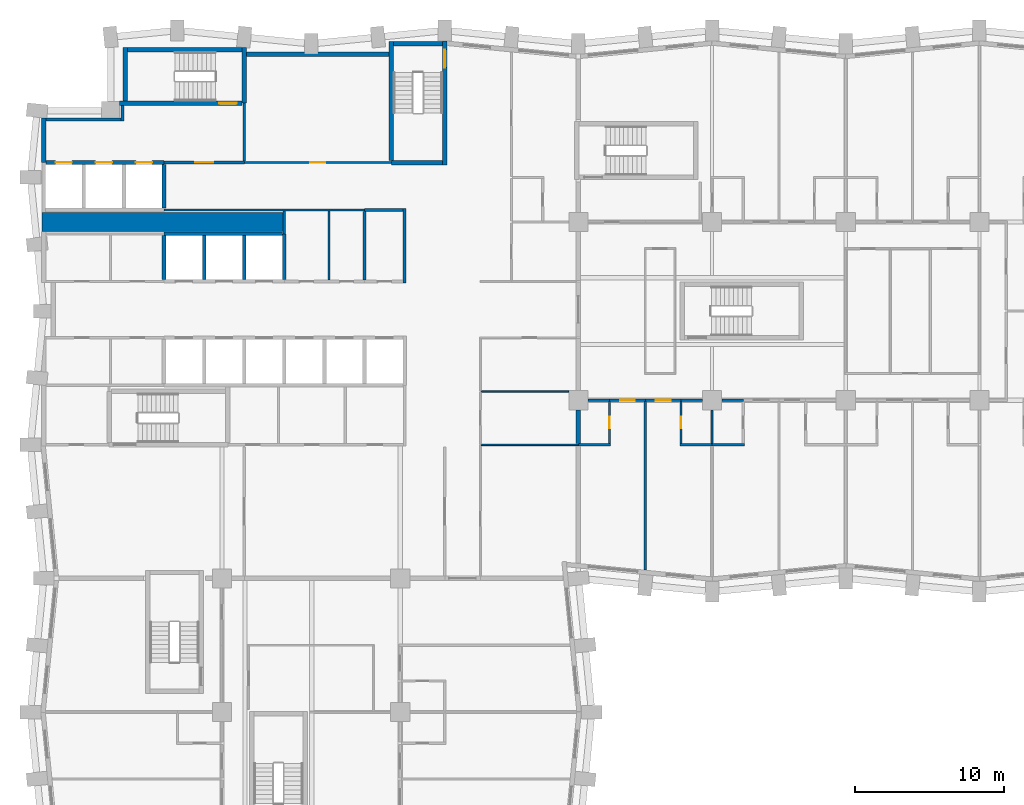
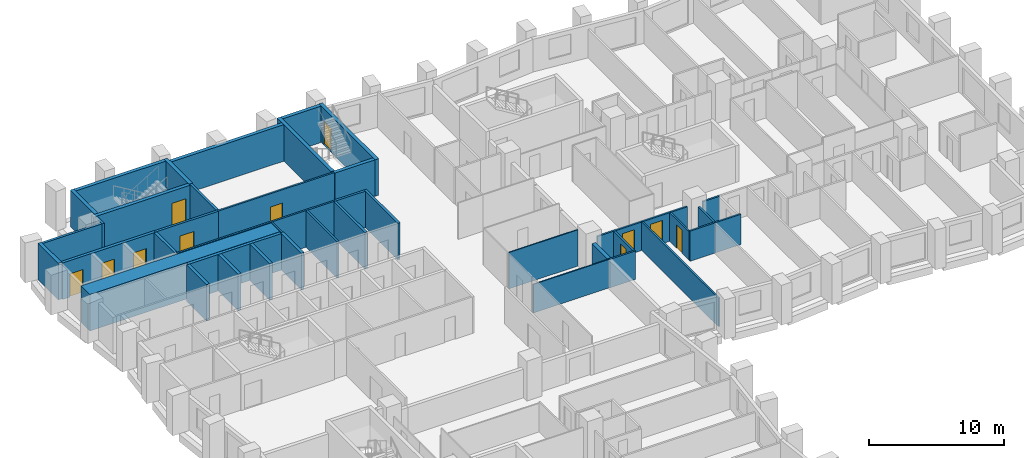
# One storey, part 7 of 13: 44 walls, 11 doors, 11 openings.
"""IFC4 building model written with IfcOpenShell, lengths in metres."""

from ifc_helpers import new_model, si_unit, direction, frame, frame_2d, origin, place, context, subcontext, project, spatial, rectangle, extrude, material, layer, layer_set, type_object, element, fill, save


model = new_model("IFC4")

# Units and contexts
model_context = context("Model", 3, precision=1e-05, world=origin(), true_north=direction((0.0, 1.0)))
body_context = subcontext(model_context, "Body", "Model", "MODEL_VIEW")
ifc_project = project(units=[si_unit("LENGTHUNIT", "METRE"), si_unit("AREAUNIT", "SQUARE_METRE"), si_unit("VOLUMEUNIT", "CUBIC_METRE"), si_unit("PLANEANGLEUNIT", "RADIAN"), si_unit("MASSUNIT", "GRAM", prefix="KILO")], contexts=[model_context])

# Site, building, storey
site_placement = place(None, origin())
site = spatial("IfcSite", under=ifc_project, at=site_placement, CompositionType="ELEMENT")
building_placement = place(site_placement, origin())
building = spatial("IfcBuilding", under=site, at=building_placement, Name="Brondeck Convention Tower", CompositionType="ELEMENT")
storey_placement = place(building_placement, frame((0.0, 0.0, 44.699951171875)))
storey = spatial("IfcBuildingStorey", under=building, at=storey_placement, Name="L08", CompositionType="ELEMENT", Elevation=44.699951171875)

# Walls
ifc_material_1 = material(Name="Concrete compartment wall C30/37", Category="concrete")
ifc_layer_1 = layer(ifc_material_1, 0.300048828125)
ifc_layer_set_1 = layer_set([ifc_layer_1], Name="Compartment wall 300")
wall_type_1 = type_object("IfcWallType", Name="Compartment wall 300", PredefinedType="PARTITIONING", material=ifc_layer_set_1)
wall_1_placement = place(storey_placement, frame((36.0, 38.344970703125, 0.0), z_axis=(0.0, 0.0, 1.0), x_axis=(0.0, -1.0, 0.0)))
element("IfcWall", 1, at=wall_1_placement, inside=storey, type_object=wall_type_1, Name="FLR-L08-W077", PredefinedType="PARTITIONING", context=body_context, shape_type="SweptSolid", body=[
    extrude(rectangle(XDim=2.27001953125, YDim=0.300048828125, at=frame_2d((1.135009765625, 0.0))), origin(), (0.0, 0.0, 1.0), 2.580078125),
])
ifc_material_2 = material(Name="Concrete C80/95", Category="concrete")
ifc_layer_2 = layer(ifc_material_2, 0.199951171875)
ifc_layer_set_2 = layer_set([ifc_layer_2], Name="Core beam-seat wall 200 Concrete C80/95")
wall_type_2 = type_object("IfcWallType", Name="Core beam-seat wall 200 Concrete C80/95", PredefinedType="SHEAR", material=ifc_layer_set_2)
wall_2_placement = place(storey_placement, frame((24.300048828125, 46.89990234375, 0.0), z_axis=(0.0, 0.0, 1.0), x_axis=(0.0, 1.0, 0.0)))
element("IfcWall", 2, at=wall_2_placement, inside=storey, type_object=wall_type_2, Name="L08 core wall", PredefinedType="SHEAR", context=body_context, shape_type="SweptSolid", body=[
    extrude(rectangle(XDim=5.0, YDim=0.199951171875, at=frame_2d((2.5, 0.0))), origin(), (0.0, 0.0, 1.0), 3.300048828125),
])
ifc_layer_3 = layer(ifc_material_2, 0.300048828125)
ifc_layer_set_3 = layer_set([ifc_layer_3], Name="Core outer wall 300 Concrete C80/95")
wall_type_3 = type_object("IfcWallType", Name="Core outer wall 300 Concrete C80/95", PredefinedType="SHEAR", material=ifc_layer_set_3)
wall_3_placement = place(storey_placement, frame((13.64990234375, 62.300048828125, 0.0), z_axis=(0.0, 0.0, 1.0), x_axis=(1.0, 0.0, 0.0)))
element("IfcWall", 3, at=wall_3_placement, inside=storey, type_object=wall_type_3, Name="L08 core wall", PredefinedType="SHEAR", context=body_context, shape_type="SweptSolid", body=[
    extrude(rectangle(XDim=9.60009765625, YDim=0.300048828125, at=frame_2d((4.800048828125, 0.0))), origin(), (0.0, 0.0, 1.0), 3.300048828125),
])
wall_4_placement = place(storey_placement, frame((0.0, 55.0, 0.0), z_axis=(0.0, 0.0, 1.0), x_axis=(0.0, 1.0, 0.0)))
element("IfcWall", 4, at=wall_4_placement, inside=storey, type_object=wall_type_3, Name="L08 core wall", PredefinedType="SHEAR", context=body_context, shape_type="SweptSolid", body=[
    extrude(rectangle(XDim=3.0, YDim=0.300048828125, at=frame_2d((1.5, 0.0))), origin(), (0.0, 0.0, 1.0), 3.300048828125),
])
ifc_material_3 = material(Name="Fire-rated gypsum board partition")
ifc_layer_4 = layer(ifc_material_3, 0.14990234375)
ifc_layer_set_4 = layer_set([ifc_layer_4], Name="Core partition 150 EI 60")
wall_type_4 = type_object("IfcWallType", Name="Core partition 150 EI 60", PredefinedType="PARTITIONING", material=ifc_layer_set_4)
wall_5_placement = place(storey_placement, frame((8.10009765625, 51.800048828125, 0.0), z_axis=(0.0, 0.0, 1.0), x_axis=(1.0, 0.0, 0.0)))
element("IfcWall", 5, at=wall_5_placement, inside=storey, type_object=wall_type_4, Name="L08 core wall", PredefinedType="PARTITIONING", context=body_context, shape_type="SweptSolid", body=[
    extrude(rectangle(XDim=13.5, YDim=0.14990234375, at=frame_2d((6.75, 0.0))), origin(), (0.0, 0.0, 1.0), 3.300048828125),
])

# Wall, opening, door
wall_6_placement = place(storey_placement, frame((13.5, 55.0, 0.0), z_axis=(0.0, 0.0, 1.0), x_axis=(1.0, 0.0, 0.0)))
wall_6 = element("IfcWall", 6, at=wall_6_placement, inside=storey, type_object=wall_type_4, Name="L08 core wall", PredefinedType="PARTITIONING", context=body_context, shape_type="SweptSolid", body=[
    extrude(rectangle(XDim=9.89990234375, YDim=0.14990234375, at=frame_2d((4.949951171875, 0.0))), origin(), (0.0, 0.0, 1.0), 3.300048828125),
])
opening_1_placement = place(wall_6_placement, frame((4.449951171875, 0.0, 0.0)))
opening_1 = element("IfcOpeningElement", 7, at=opening_1_placement, cuts=wall_6, Name="Opening C08-13", PredefinedType="OPENING", context=body_context, shape_type="SweptSolid", body=[
    extrude(rectangle(XDim=1.0, YDim=2.10009765625, at=frame_2d((0.5, 1.050048828125))), frame((0.0, 0.0849609375, 0.0), z_axis=(0.0, -1.0, 0.0), x_axis=(1.0, 0.0, 0.0)), (0.0, 0.0, 1.0), 0.169921875),
])
ifc_material_4 = material(Name="Steel fire door", Category="steel")
door_type_1 = type_object("IfcDoorType", Name="Room door 1000x2100 EI 60", OperationType="NOTDEFINED", PredefinedType="DOOR", material=ifc_material_4)
door_1_placement = place(opening_1_placement, origin())
door_1 = element("IfcDoor", 8, at=door_1_placement, inside=storey, type_object=door_type_1, Name="L08 Room door NE-1", OperationType="SINGLE_SWING_LEFT", OverallHeight=2.10009765625, OverallWidth=1.0, PredefinedType="DOOR", context=body_context, shape_type="SweptSolid", body=[
    extrude(rectangle(XDim=1.0, YDim=2.10009765625, at=frame_2d((0.5, 1.050048828125))), frame((0.0, 0.02490234375, 0.0), z_axis=(0.0, -1.0, 0.0), x_axis=(1.0, 0.0, 0.0)), (0.0, 0.0, 1.0), 0.050048828125),
])
fill(opening_1, door_1)

# Walls
wall_7_placement = place(storey_placement, frame((16.199951171875, 50.199951171875, 0.0), z_axis=(0.0, 0.0, 1.0), x_axis=(0.0, 1.0, 0.0)))
element("IfcWall", 9, at=wall_7_placement, inside=storey, type_object=wall_type_4, Name="L08 core wall", PredefinedType="PARTITIONING", context=body_context, shape_type="SweptSolid", body=[
    extrude(rectangle(XDim=1.525146484375, YDim=0.14990234375, at=frame_2d((0.7626953125, 0.0))), origin(), (0.0, 0.0, 1.0), 3.300048828125),
])
wall_8_placement = place(storey_placement, frame((19.199951171875, 47.10009765625, 0.0), z_axis=(0.0, 0.0, 1.0), x_axis=(0.0, 1.0, 0.0)))
element("IfcWall", 10, at=wall_8_placement, inside=storey, type_object=wall_type_4, Name="L08 core wall", PredefinedType="PARTITIONING", context=body_context, shape_type="SweptSolid", body=[
    extrude(rectangle(XDim=4.625, YDim=0.14990234375, at=frame_2d((2.3125, 0.0))), origin(), (0.0, 0.0, 1.0), 3.300048828125),
])
ifc_layer_5 = layer(ifc_material_2, 1.300048828125)
ifc_layer_set_5 = layer_set([ifc_layer_5], Name="Core shear wall 1300 Concrete C80/95")
wall_type_5 = type_object("IfcWallType", Name="Core shear wall 1300 Concrete C80/95", PredefinedType="SHEAR", material=ifc_layer_set_5)
wall_9_placement = place(storey_placement, frame((-0.125, 51.0, 0.0), z_axis=(0.0, 0.0, 1.0), x_axis=(1.0, 0.0, 0.0)))
element("IfcWall", 11, at=wall_9_placement, inside=storey, type_object=wall_type_5, Name="L08 core wall", PredefinedType="SHEAR", context=body_context, shape_type="SweptSolid", body=[
    extrude(rectangle(XDim=16.22509765625, YDim=1.300048828125, at=frame_2d((8.112548828125, 0.0))), origin(), (0.0, 0.0, 1.0), 3.300048828125),
])

# Wall, opening, door
ifc_layer_6 = layer(ifc_material_3, 0.199951171875)
ifc_layer_set_6 = layer_set([ifc_layer_6], Name="Firefighting lobby wall 200 EI 120")
wall_type_6 = type_object("IfcWallType", Name="Firefighting lobby wall 200 EI 120", PredefinedType="PARTITIONING", material=ifc_layer_set_6)
wall_10_placement = place(storey_placement, frame((8.10009765625, 55.0, 0.0), z_axis=(0.0, 0.0, 1.0), x_axis=(1.0, 0.0, 0.0)))
wall_10 = element("IfcWall", 12, at=wall_10_placement, inside=storey, type_object=wall_type_6, Name="L08 core wall", PredefinedType="PARTITIONING", context=body_context, shape_type="SweptSolid", body=[
    extrude(rectangle(XDim=5.39990234375, YDim=0.199951171875, at=frame_2d((2.699951171875, 0.0))), origin(), (0.0, 0.0, 1.0), 3.300048828125),
])
opening_2_placement = place(wall_10_placement, frame((2.10009765625, 0.0, 0.0)))
opening_2 = element("IfcOpeningElement", 13, at=opening_2_placement, cuts=wall_10, Name="Opening C08-01", PredefinedType="OPENING", context=body_context, shape_type="SweptSolid", body=[
    extrude(rectangle(XDim=1.199951171875, YDim=2.199951171875, at=frame_2d((0.60009765625, 1.10009765625))), frame((0.0, 0.10986328125, 0.0), z_axis=(0.0, -1.0, 0.0), x_axis=(1.0, 0.0, 0.0)), (0.0, 0.0, 1.0), 0.219970703125),
])
door_type_2 = type_object("IfcDoorType", Name="Firefighting lobby door 1200x2200 EI 120", OperationType="NOTDEFINED", PredefinedType="DOOR", material=ifc_material_4)
door_2_placement = place(opening_2_placement, origin())
door_2 = element("IfcDoor", 14, at=door_2_placement, inside=storey, type_object=door_type_2, Name="L08 Firefighting lobby door FFL-1", OperationType="SINGLE_SWING_RIGHT", OverallHeight=2.199951171875, OverallWidth=1.199951171875, PredefinedType="DOOR", context=body_context, shape_type="SweptSolid", body=[
    extrude(rectangle(XDim=1.199951171875, YDim=2.199951171875, at=frame_2d((0.60009765625, 1.10009765625))), frame((0.0, 0.02490234375, 0.0), z_axis=(0.0, -1.0, 0.0), x_axis=(1.0, 0.0, 0.0)), (0.0, 0.0, 1.0), 0.050048828125),
])
fill(opening_2, door_2)

# Walls
wall_11_placement = place(storey_placement, frame((0.14990234375, 57.89990234375, 0.0), z_axis=(0.0, 0.0, 1.0), x_axis=(1.0, 0.0, 0.0)))
element("IfcWall", 15, at=wall_11_placement, inside=storey, type_object=wall_type_6, Name="L08 core wall", PredefinedType="PARTITIONING", context=body_context, shape_type="SweptSolid", body=[
    extrude(rectangle(XDim=5.050048828125, YDim=0.199951171875, at=frame_2d((2.52490234375, 0.0))), origin(), (0.0, 0.0, 1.0), 3.300048828125),
])
wall_12_placement = place(storey_placement, frame((5.300048828125, 57.800048828125, 0.0), z_axis=(0.0, 0.0, 1.0), x_axis=(0.0, 1.0, 0.0)))
element("IfcWall", 16, at=wall_12_placement, inside=storey, type_object=wall_type_6, Name="L08 core wall", PredefinedType="PARTITIONING", context=body_context, shape_type="SweptSolid", body=[
    extrude(rectangle(XDim=1.050048828125, YDim=0.199951171875, at=frame_2d((0.52490234375, 0.0))), origin(), (0.0, 0.0, 1.0), 3.300048828125),
])
wall_13_placement = place(storey_placement, frame((13.5, 55.10009765625, 0.0), z_axis=(0.0, 0.0, 1.0), x_axis=(0.0, 1.0, 0.0)))
element("IfcWall", 17, at=wall_13_placement, inside=storey, type_object=wall_type_6, Name="L08 core wall", PredefinedType="PARTITIONING", context=body_context, shape_type="SweptSolid", body=[
    extrude(rectangle(XDim=3.89990234375, YDim=0.199951171875, at=frame_2d((1.949951171875, 0.0))), origin(), (0.0, 0.0, 1.0), 3.300048828125),
])
ifc_material_5 = material(Name="Double gypsum board acoustic wall")
ifc_layer_7 = layer(ifc_material_5, 0.14990234375)
ifc_layer_set_7 = layer_set([ifc_layer_7], Name="Guest room party wall 150")
wall_type_7 = type_object("IfcWallType", Name="Guest room party wall 150", PredefinedType="PARTITIONING", material=ifc_layer_set_7)
wall_14_placement = place(storey_placement, frame((36.0, 36.0, 0.0), z_axis=(0.0, 0.0, 1.0), x_axis=(1.0, 0.0, 0.0)))
element("IfcWall", 18, at=wall_14_placement, inside=storey, type_object=wall_type_7, Name="FLR-L08-W066", PredefinedType="PARTITIONING", context=body_context, shape_type="SweptSolid", body=[
    extrude(rectangle(XDim=2.175048828125, YDim=0.14990234375, at=frame_2d((1.08740234375, 0.0))), origin(), (0.0, 0.0, 1.0), 2.580078125),
])
for number, where, z_axis, x_axis, name in (
    (19, (42.824951171875, 36.0, 0.0), (0.0, 0.0, 1.0), (1.0, 0.0, 0.0), "FLR-L08-W067"),
    (20, (45.0, 36.0, 0.0), (0.0, 0.0, 1.0), (1.0, 0.0, 0.0), "FLR-L08-W068"),
):
    element("IfcWall", number, at=place(storey_placement, frame(where, z_axis=z_axis, x_axis=x_axis)), inside=storey, type_object=wall_type_7, Name=name, PredefinedType="PARTITIONING", context=body_context, shape_type="SweptSolid", body=[
        extrude(rectangle(XDim=2.175048828125, YDim=0.14990234375, at=frame_2d((1.08740234375, 0.0))), origin(), (0.0, 0.0, 1.0), 2.72998046875),
    ])

# Wall, opening, door
wall_15_placement = place(storey_placement, frame((38.10009765625, 36.074951171875, 0.0), z_axis=(0.0, 0.0, 1.0), x_axis=(0.0, 1.0, 0.0)))
wall_15 = element("IfcWall", 21, at=wall_15_placement, inside=storey, type_object=wall_type_7, Name="FLR-L08-W073", PredefinedType="PARTITIONING", context=body_context, shape_type="SweptSolid", body=[
    extrude(rectangle(XDim=2.85009765625, YDim=0.14990234375, at=frame_2d((1.425048828125, 0.0))), origin(), (0.0, 0.0, 1.0), 2.580078125),
])
opening_3_placement = place(wall_15_placement, frame((1.02490234375, 0.0, 0.0)))
opening_3 = element("IfcOpeningElement", 22, at=opening_3_placement, cuts=wall_15, Name="Opening H1-011", PredefinedType="OPENING", context=body_context, shape_type="SweptSolid", body=[
    extrude(rectangle(XDim=0.800048828125, YDim=2.10009765625, at=frame_2d((0.39990234375, 1.050048828125))), frame((0.0, 0.0849609375, 0.0), z_axis=(0.0, -1.0, 0.0), x_axis=(1.0, 0.0, 0.0)), (0.0, 0.0, 1.0), 0.169921875),
])
ifc_material_6 = material(Name="Solid timber door leaf", Category="wood")
door_type_3 = type_object("IfcDoorType", Name="En-suite door 800", OperationType="NOTDEFINED", PredefinedType="DOOR", material=ifc_material_6)
door_3_placement = place(opening_3_placement, origin())
door_3 = element("IfcDoor", 23, at=door_3_placement, inside=storey, type_object=door_type_3, Name="Door H1-011", OperationType="SINGLE_SWING_LEFT", OverallHeight=2.10009765625, OverallWidth=0.800048828125, PredefinedType="DOOR", context=body_context, shape_type="SweptSolid", body=[
    extrude(rectangle(XDim=0.800048828125, YDim=2.10009765625, at=frame_2d((0.39990234375, 1.050048828125))), frame((0.0, 0.02490234375, 0.0), z_axis=(0.0, -1.0, 0.0), x_axis=(1.0, 0.0, 0.0)), (0.0, 0.0, 1.0), 0.050048828125),
])
fill(opening_3, door_3)

# Walls
wall_16_placement = place(storey_placement, frame((45.0, 38.344970703125, 0.0), z_axis=(0.0, 0.0, 1.0), x_axis=(0.0, -1.0, 0.0)))
element("IfcWall", 24, at=wall_16_placement, inside=storey, type_object=wall_type_7, Name="FLR-L08-W078", PredefinedType="PARTITIONING", context=body_context, shape_type="SweptSolid", body=[
    extrude(rectangle(XDim=2.27001953125, YDim=0.14990234375, at=frame_2d((1.135009765625, 0.0))), origin(), (0.0, 0.0, 1.0), 2.72998046875),
])
wall_17_placement = place(storey_placement, frame((40.5, 38.925048828125, 0.0), z_axis=(0.0, 0.0, 1.0), x_axis=(0.0, -1.0, 0.0)))
element("IfcWall", 25, at=wall_17_placement, inside=storey, type_object=wall_type_7, Name="FLR-L08-W081", PredefinedType="PARTITIONING", context=body_context, shape_type="SweptSolid", body=[
    extrude(rectangle(XDim=11.35009765625, YDim=0.14990234375, at=frame_2d((5.675048828125, 0.0))), origin(), (0.0, 0.0, 1.0), 2.580078125),
])

# Wall, opening, door
wall_18_placement = place(storey_placement, frame((42.89990234375, 38.925048828125, 0.0), z_axis=(0.0, 0.0, 1.0), x_axis=(0.0, -1.0, 0.0)))
wall_18 = element("IfcWall", 26, at=wall_18_placement, inside=storey, type_object=wall_type_7, Name="FLR-L08-W082", PredefinedType="PARTITIONING", context=body_context, shape_type="SweptSolid", body=[
    extrude(rectangle(XDim=2.85009765625, YDim=0.14990234375, at=frame_2d((1.425048828125, 0.0))), origin(), (0.0, 0.0, 1.0), 2.580078125),
])
opening_4_placement = place(wall_18_placement, frame((1.02490234375, 0.0, 0.0)))
opening_4 = element("IfcOpeningElement", 27, at=opening_4_placement, cuts=wall_18, Name="Opening H1-013", PredefinedType="OPENING", context=body_context, shape_type="SweptSolid", body=[
    extrude(rectangle(XDim=0.800048828125, YDim=2.10009765625, at=frame_2d((0.39990234375, 1.050048828125))), frame((0.0, 0.0849609375, 0.0), z_axis=(0.0, -1.0, 0.0), x_axis=(1.0, 0.0, 0.0)), (0.0, 0.0, 1.0), 0.169921875),
])
door_4_placement = place(opening_4_placement, origin())
door_4 = element("IfcDoor", 28, at=door_4_placement, inside=storey, type_object=door_type_3, Name="Door H1-013", OperationType="SINGLE_SWING_LEFT", OverallHeight=2.10009765625, OverallWidth=0.800048828125, PredefinedType="DOOR", context=body_context, shape_type="SweptSolid", body=[
    extrude(rectangle(XDim=0.800048828125, YDim=2.10009765625, at=frame_2d((0.39990234375, 1.050048828125))), frame((0.0, 0.02490234375, 0.0), z_axis=(0.0, -1.0, 0.0), x_axis=(1.0, 0.0, 0.0)), (0.0, 0.0, 1.0), 0.050048828125),
])
fill(opening_4, door_4)

# Wall
wall_19_placement = place(storey_placement, frame((38.10009765625, 39.0, 0.0), z_axis=(0.0, 0.0, 1.0), x_axis=(-1.0, 0.0, 0.0)))
element("IfcWall", 29, at=wall_19_placement, inside=storey, type_object=wall_type_7, Name="FLR-L08-W088", PredefinedType="PARTITIONING", context=body_context, shape_type="SweptSolid", body=[
    extrude(rectangle(XDim=1.445068359375, YDim=0.14990234375, at=frame_2d((0.72265625, 0.0))), origin(), (0.0, 0.0, 1.0), 2.580078125),
])

# Wall, opening, door
wall_20_placement = place(storey_placement, frame((40.5, 39.0, 0.0), z_axis=(0.0, 0.0, 1.0), x_axis=(-1.0, 0.0, 0.0)))
wall_20 = element("IfcWall", 30, at=wall_20_placement, inside=storey, type_object=wall_type_7, Name="FLR-L08-W089", PredefinedType="PARTITIONING", context=body_context, shape_type="SweptSolid", body=[
    extrude(rectangle(XDim=2.39990234375, YDim=0.14990234375, at=frame_2d((1.199951171875, 0.0))), origin(), (0.0, 0.0, 1.0), 2.580078125),
])
opening_5_placement = place(wall_20_placement, frame((0.699951171875, 0.0, 0.0)))
opening_5 = element("IfcOpeningElement", 31, at=opening_5_placement, cuts=wall_20, Name="Opening H1-010", PredefinedType="OPENING", context=body_context, shape_type="SweptSolid", body=[
    extrude(rectangle(XDim=1.0, YDim=2.10009765625, at=frame_2d((0.5, 1.050048828125))), frame((0.0, 0.0849609375, 0.0), z_axis=(0.0, -1.0, 0.0), x_axis=(1.0, 0.0, 0.0)), (0.0, 0.0, 1.0), 0.169921875),
])
ifc_material_7 = material(Name="Solid timber fire door leaf", Category="wood")
door_type_4 = type_object("IfcDoorType", Name="Guest room door 1000", OperationType="NOTDEFINED", PredefinedType="DOOR", material=ifc_material_7)
door_5_placement = place(opening_5_placement, origin())
door_5 = element("IfcDoor", 32, at=door_5_placement, inside=storey, type_object=door_type_4, Name="Door H1-010", OperationType="SINGLE_SWING_LEFT", OverallHeight=2.10009765625, OverallWidth=1.0, PredefinedType="DOOR", context=body_context, shape_type="SweptSolid", body=[
    extrude(rectangle(XDim=1.0, YDim=2.10009765625, at=frame_2d((0.5, 1.050048828125))), frame((0.0, 0.02490234375, 0.0), z_axis=(0.0, -1.0, 0.0), x_axis=(1.0, 0.0, 0.0)), (0.0, 0.0, 1.0), 0.050048828125),
])
fill(opening_5, door_5)

wall_21_placement = place(storey_placement, frame((42.89990234375, 39.0, 0.0), z_axis=(0.0, 0.0, 1.0), x_axis=(-1.0, 0.0, 0.0)))
wall_21 = element("IfcWall", 33, at=wall_21_placement, inside=storey, type_object=wall_type_7, Name="FLR-L08-W090", PredefinedType="PARTITIONING", context=body_context, shape_type="SweptSolid", body=[
    extrude(rectangle(XDim=2.39990234375, YDim=0.14990234375, at=frame_2d((1.199951171875, 0.0))), origin(), (0.0, 0.0, 1.0), 2.580078125),
])
opening_6_placement = place(wall_21_placement, frame((0.699951171875, 0.0, 0.0)))
opening_6 = element("IfcOpeningElement", 34, at=opening_6_placement, cuts=wall_21, Name="Opening H1-012", PredefinedType="OPENING", context=body_context, shape_type="SweptSolid", body=[
    extrude(rectangle(XDim=1.0, YDim=2.10009765625, at=frame_2d((0.5, 1.050048828125))), frame((0.0, 0.0849609375, 0.0), z_axis=(0.0, -1.0, 0.0), x_axis=(1.0, 0.0, 0.0)), (0.0, 0.0, 1.0), 0.169921875),
])
door_6_placement = place(opening_6_placement, origin())
door_6 = element("IfcDoor", 35, at=door_6_placement, inside=storey, type_object=door_type_4, Name="Door H1-012", OperationType="SINGLE_SWING_LEFT", OverallHeight=2.10009765625, OverallWidth=1.0, PredefinedType="DOOR", context=body_context, shape_type="SweptSolid", body=[
    extrude(rectangle(XDim=1.0, YDim=2.10009765625, at=frame_2d((0.5, 1.050048828125))), frame((0.0, 0.02490234375, 0.0), z_axis=(0.0, -1.0, 0.0), x_axis=(1.0, 0.0, 0.0)), (0.0, 0.0, 1.0), 0.050048828125),
])
fill(opening_6, door_6)

# Walls
for number, where, z_axis, x_axis, name in (
    (36, (44.344970703125, 39.0, 0.0), (0.0, 0.0, 1.0), (-1.0, 0.0, 0.0), "FLR-L08-W091"),
    (37, (47.10009765625, 39.0, 0.0), (0.0, 0.0, 1.0), (-1.0, 0.0, 0.0), "FLR-L08-W092"),
):
    element("IfcWall", number, at=place(storey_placement, frame(where, z_axis=z_axis, x_axis=x_axis)), inside=storey, type_object=wall_type_7, Name=name, PredefinedType="PARTITIONING", context=body_context, shape_type="SweptSolid", body=[
        extrude(rectangle(XDim=1.445068359375, YDim=0.14990234375, at=frame_2d((0.72265625, 0.0))), origin(), (0.0, 0.0, 1.0), 2.580078125),
    ])
ifc_layer_8 = layer(ifc_material_2, 0.25)
ifc_layer_set_8 = layer_set([ifc_layer_8], Name="Lift shaft wall 250 Concrete C80/95")
wall_type_8 = type_object("IfcWallType", Name="Lift shaft wall 250 Concrete C80/95", PredefinedType="SHEAR", material=ifc_layer_set_8)
wall_22_placement = place(storey_placement, frame((8.10009765625, 50.199951171875, 0.0), z_axis=(0.0, 0.0, 1.0), x_axis=(1.0, 0.0, 0.0)))
element("IfcWall", 38, at=wall_22_placement, inside=storey, type_object=wall_type_8, Name="L08 core wall", PredefinedType="SHEAR", context=body_context, shape_type="SweptSolid", body=[
    extrude(rectangle(XDim=7.974853515625, YDim=0.25, at=frame_2d((3.9873046875, 0.0))), origin(), (0.0, 0.0, 1.0), 3.300048828125),
])

# Wall, openings, doors
wall_23_placement = place(storey_placement, frame((0.14990234375, 55.0, 0.0), z_axis=(0.0, 0.0, 1.0), x_axis=(1.0, 0.0, 0.0)))
wall_23 = element("IfcWall", 39, at=wall_23_placement, inside=storey, type_object=wall_type_8, Name="L08 core wall", PredefinedType="SHEAR", context=body_context, shape_type="SweptSolid", body=[
    extrude(rectangle(XDim=7.9501953125, YDim=0.25, at=frame_2d((3.97509765625, 0.0))), origin(), (0.0, 0.0, 1.0), 3.300048828125),
])
opening_7_placement = place(wall_23_placement, frame((0.64990234375, 0.0, 0.0)))
opening_7 = element("IfcOpeningElement", 40, at=opening_7_placement, cuts=wall_23, Name="Opening C08-21", PredefinedType="OPENING", context=body_context, shape_type="SweptSolid", body=[
    extrude(rectangle(XDim=1.10009765625, YDim=2.10009765625, at=frame_2d((0.550048828125, 1.050048828125))), frame((0.0, 0.135009765625, 0.0), z_axis=(0.0, -1.0, 0.0), x_axis=(1.0, 0.0, 0.0)), (0.0, 0.0, 1.0), 0.27001953125),
])
opening_8_placement = place(wall_23_placement, frame((3.35009765625, 0.0, 0.0)))
opening_8 = element("IfcOpeningElement", 41, at=opening_8_placement, cuts=wall_23, Name="Opening C08-22", PredefinedType="OPENING", context=body_context, shape_type="SweptSolid", body=[
    extrude(rectangle(XDim=1.10009765625, YDim=2.10009765625, at=frame_2d((0.550048828125, 1.050048828125))), frame((0.0, 0.135009765625, 0.0), z_axis=(0.0, -1.0, 0.0), x_axis=(1.0, 0.0, 0.0)), (0.0, 0.0, 1.0), 0.27001953125),
])
opening_9_placement = place(wall_23_placement, frame((6.050048828125, 0.0, 0.0)))
opening_9 = element("IfcOpeningElement", 42, at=opening_9_placement, cuts=wall_23, Name="Opening C08-23", PredefinedType="OPENING", context=body_context, shape_type="SweptSolid", body=[
    extrude(rectangle(XDim=1.10009765625, YDim=2.10009765625, at=frame_2d((0.550048828125, 1.050048828125))), frame((0.0, 0.135009765625, 0.0), z_axis=(0.0, -1.0, 0.0), x_axis=(1.0, 0.0, 0.0)), (0.0, 0.0, 1.0), 0.27001953125),
])
ifc_material_8 = material(Name="Stainless steel lift door", Category="steel")
door_type_5 = type_object("IfcDoorType", Name="Lift landing door 1100x2100 EI 180", OperationType="DOUBLE_DOOR_SLIDING", PredefinedType="DOOR", material=ifc_material_8)
door_7_placement = place(opening_7_placement, origin())
door_7 = element("IfcDoor", 43, at=door_7_placement, inside=storey, type_object=door_type_5, Name="L08 Lift landing door FF1", OperationType="DOUBLE_DOOR_SLIDING", OverallHeight=2.10009765625, OverallWidth=1.10009765625, PredefinedType="DOOR", context=body_context, shape_type="SweptSolid", body=[
    extrude(rectangle(XDim=1.10009765625, YDim=2.10009765625, at=frame_2d((0.550048828125, 1.050048828125))), frame((0.0, 0.02490234375, 0.0), z_axis=(0.0, -1.0, 0.0), x_axis=(1.0, 0.0, 0.0)), (0.0, 0.0, 1.0), 0.050048828125),
])
fill(opening_7, door_7)
door_8_placement = place(opening_8_placement, origin())
door_8 = element("IfcDoor", 44, at=door_8_placement, inside=storey, type_object=door_type_5, Name="L08 Lift landing door FF2", OperationType="DOUBLE_DOOR_SLIDING", OverallHeight=2.10009765625, OverallWidth=1.10009765625, PredefinedType="DOOR", context=body_context, shape_type="SweptSolid", body=[
    extrude(rectangle(XDim=1.10009765625, YDim=2.10009765625, at=frame_2d((0.550048828125, 1.050048828125))), frame((0.0, 0.02490234375, 0.0), z_axis=(0.0, -1.0, 0.0), x_axis=(1.0, 0.0, 0.0)), (0.0, 0.0, 1.0), 0.050048828125),
])
fill(opening_8, door_8)
door_9_placement = place(opening_9_placement, origin())
door_9 = element("IfcDoor", 45, at=door_9_placement, inside=storey, type_object=door_type_5, Name="L08 Lift landing door FF3", OperationType="DOUBLE_DOOR_SLIDING", OverallHeight=2.10009765625, OverallWidth=1.10009765625, PredefinedType="DOOR", context=body_context, shape_type="SweptSolid", body=[
    extrude(rectangle(XDim=1.10009765625, YDim=2.10009765625, at=frame_2d((0.550048828125, 1.050048828125))), frame((0.0, 0.02490234375, 0.0), z_axis=(0.0, -1.0, 0.0), x_axis=(1.0, 0.0, 0.0)), (0.0, 0.0, 1.0), 0.050048828125),
])
fill(opening_9, door_9)

# Walls
for number, where, z_axis, x_axis, name in (
    (46, (8.10009765625, 47.125, 0.0), (0.0, 0.0, 1.0), (0.0, 1.0, 0.0), "L08 core wall"),
    (47, (8.10009765625, 51.925048828125, 0.0), (0.0, 0.0, 1.0), (0.0, 1.0, 0.0), "L08 core wall"),
    (48, (10.800048828125, 47.125, 0.0), (0.0, 0.0, 1.0), (0.0, 1.0, 0.0), "L08 core wall"),
    (49, (13.5, 47.125, 0.0), (0.0, 0.0, 1.0), (0.0, 1.0, 0.0), "L08 core wall"),
):
    element("IfcWall", number, at=place(storey_placement, frame(where, z_axis=z_axis, x_axis=x_axis)), inside=storey, type_object=wall_type_8, Name=name, PredefinedType="SHEAR", context=body_context, shape_type="SweptSolid", body=[
        extrude(rectangle(XDim=2.949951171875, YDim=0.25, at=frame_2d((1.47509765625, 0.0))), origin(), (0.0, 0.0, 1.0), 3.300048828125),
    ])
wall_24_placement = place(storey_placement, frame((16.199951171875, 47.125, 0.0), z_axis=(0.0, 0.0, 1.0), x_axis=(0.0, 1.0, 0.0)))
element("IfcWall", 50, at=wall_24_placement, inside=storey, type_object=wall_type_8, Name="L08 core wall", PredefinedType="SHEAR", context=body_context, shape_type="SweptSolid", body=[
    extrude(rectangle(XDim=3.074951171875, YDim=0.25, at=frame_2d((1.53759765625, 0.0))), origin(), (0.0, 0.0, 1.0), 3.300048828125),
])
ifc_layer_9 = layer(ifc_material_3, 0.199951171875)
ifc_layer_set_9 = layer_set([ifc_layer_9], Name="Riser wall 200 EI 120")
wall_type_9 = type_object("IfcWallType", Name="Riser wall 200 EI 120", PredefinedType="PARTITIONING", material=ifc_layer_set_9)
wall_25_placement = place(storey_placement, frame((21.60009765625, 51.800048828125, 0.0), z_axis=(0.0, 0.0, 1.0), x_axis=(1.0, 0.0, 0.0)))
element("IfcWall", 51, at=wall_25_placement, inside=storey, type_object=wall_type_9, Name="L08 core wall", PredefinedType="PARTITIONING", context=body_context, shape_type="SweptSolid", body=[
    extrude(rectangle(XDim=2.599853515625, YDim=0.199951171875, at=frame_2d((1.2998046875, 0.0))), origin(), (0.0, 0.0, 1.0), 3.300048828125),
])
wall_26_placement = place(storey_placement, frame((21.60009765625, 47.10009765625, 0.0), z_axis=(0.0, 0.0, 1.0), x_axis=(0.0, 1.0, 0.0)))
element("IfcWall", 52, at=wall_26_placement, inside=storey, type_object=wall_type_9, Name="L08 core wall", PredefinedType="PARTITIONING", context=body_context, shape_type="SweptSolid", body=[
    extrude(rectangle(XDim=4.599853515625, YDim=0.199951171875, at=frame_2d((2.2998046875, 0.0))), origin(), (0.0, 0.0, 1.0), 3.300048828125),
])
ifc_material_9 = material(Name="Gypsum board partition on steel studs", Category="steel")
ifc_layer_10 = layer(ifc_material_9, 0.10009765625)
ifc_layer_set_10 = layer_set([ifc_layer_10], Name="Room partition 100")
wall_type_10 = type_object("IfcWallType", Name="Room partition 100", PredefinedType="PARTITIONING", material=ifc_layer_set_10)
wall_27_placement = place(storey_placement, frame((36.0, 36.0, 0.0), z_axis=(0.0, 0.0, 1.0), x_axis=(-1.0, 0.0, 0.0)))
element("IfcWall", 53, at=wall_27_placement, inside=storey, type_object=wall_type_10, Name="FLR-L08-W065", PredefinedType="PARTITIONING", context=body_context, shape_type="SweptSolid", body=[
    extrude(rectangle(XDim=6.550048828125, YDim=0.10009765625, at=frame_2d((3.27490234375, 0.0))), origin(), (0.0, 0.0, 1.0), 2.580078125),
])
wall_28_placement = place(storey_placement, frame((35.344970703125, 39.60009765625, 0.0), z_axis=(0.0, 0.0, 1.0), x_axis=(-1.0, 0.0, 0.0)))
element("IfcWall", 54, at=wall_28_placement, inside=storey, type_object=wall_type_10, Name="FLR-L08-W103", PredefinedType="PARTITIONING", context=body_context, shape_type="SweptSolid", body=[
    extrude(rectangle(XDim=5.89501953125, YDim=0.10009765625, at=frame_2d((2.947509765625, 0.0))), origin(), (0.0, 0.0, 1.0), 3.280029296875),
])
ifc_layer_11 = layer(ifc_material_2, 0.300048828125)
ifc_layer_set_11 = layer_set([ifc_layer_11], Name="Stair enclosure wall 300 Concrete C80/95")
wall_type_11 = type_object("IfcWallType", Name="Stair enclosure wall 300 Concrete C80/95", PredefinedType="SHEAR", material=ifc_layer_set_11)
wall_29_placement = place(storey_placement, frame((23.39990234375, 55.0, 0.0), z_axis=(0.0, 0.0, 1.0), x_axis=(1.0, 0.0, 0.0)))
element("IfcWall", 55, at=wall_29_placement, inside=storey, type_object=wall_type_11, Name="L08 core wall", PredefinedType="SHEAR", context=body_context, shape_type="SweptSolid", body=[
    extrude(rectangle(XDim=3.4501953125, YDim=0.300048828125, at=frame_2d((1.72509765625, 0.0))), origin(), (0.0, 0.0, 1.0), 3.300048828125),
])

# Wall, opening, door
wall_30_placement = place(storey_placement, frame((5.10009765625, 59.0, 0.0), z_axis=(0.0, 0.0, 1.0), x_axis=(1.0, 0.0, 0.0)))
wall_30 = element("IfcWall", 56, at=wall_30_placement, inside=storey, type_object=wall_type_11, Name="L08 core wall", PredefinedType="SHEAR", context=body_context, shape_type="SweptSolid", body=[
    extrude(rectangle(XDim=8.25, YDim=0.300048828125, at=frame_2d((4.125, 0.0))), origin(), (0.0, 0.0, 1.0), 3.300048828125),
])
opening_10_placement = place(wall_30_placement, frame((6.699951171875, 0.0, 0.0)))
opening_10 = element("IfcOpeningElement", 57, at=opening_10_placement, cuts=wall_30, Name="Opening C08-16", PredefinedType="OPENING", context=body_context, shape_type="SweptSolid", body=[
    extrude(rectangle(XDim=1.199951171875, YDim=2.199951171875, at=frame_2d((0.60009765625, 1.10009765625))), frame((0.0, 0.159912109375, 0.0), z_axis=(0.0, -1.0, 0.0), x_axis=(1.0, 0.0, 0.0)), (0.0, 0.0, 1.0), 0.320068359375),
])
door_type_6 = type_object("IfcDoorType", Name="Stair door 1200x2200 EI 120", OperationType="NOTDEFINED", PredefinedType="DOOR", material=ifc_material_4)
door_10_placement = place(opening_10_placement, origin())
door_10 = element("IfcDoor", 58, at=door_10_placement, inside=storey, type_object=door_type_6, Name="L08 Stair door ST-3", OperationType="SINGLE_SWING_RIGHT", OverallHeight=2.199951171875, OverallWidth=1.199951171875, PredefinedType="DOOR", context=body_context, shape_type="SweptSolid", body=[
    extrude(rectangle(XDim=1.199951171875, YDim=2.199951171875, at=frame_2d((0.60009765625, 1.10009765625))), frame((0.0, 0.02490234375, 0.0), z_axis=(0.0, -1.0, 0.0), x_axis=(1.0, 0.0, 0.0)), (0.0, 0.0, 1.0), 0.050048828125),
])
fill(opening_10, door_10)

# Walls
wall_31_placement = place(storey_placement, frame((5.64990234375, 62.60009765625, 0.0), z_axis=(0.0, 0.0, 1.0), x_axis=(1.0, 0.0, 0.0)))
element("IfcWall", 59, at=wall_31_placement, inside=storey, type_object=wall_type_11, Name="L08 core wall", PredefinedType="SHEAR", context=body_context, shape_type="SweptSolid", body=[
    extrude(rectangle(XDim=7.7001953125, YDim=0.300048828125, at=frame_2d((3.85009765625, 0.0))), origin(), (0.0, 0.0, 1.0), 3.300048828125),
])
wall_32_placement = place(storey_placement, frame((23.550048828125, 63.0, 0.0), z_axis=(0.0, 0.0, 1.0), x_axis=(1.0, 0.0, 0.0)))
element("IfcWall", 60, at=wall_32_placement, inside=storey, type_object=wall_type_11, Name="L08 core wall", PredefinedType="SHEAR", context=body_context, shape_type="SweptSolid", body=[
    extrude(rectangle(XDim=3.300048828125, YDim=0.300048828125, at=frame_2d((1.64990234375, 0.0))), origin(), (0.0, 0.0, 1.0), 3.300048828125),
])
wall_33_placement = place(storey_placement, frame((5.5, 59.14990234375, 0.0), z_axis=(0.0, 0.0, 1.0), x_axis=(0.0, 1.0, 0.0)))
element("IfcWall", 61, at=wall_33_placement, inside=storey, type_object=wall_type_11, Name="L08 core wall", PredefinedType="SHEAR", context=body_context, shape_type="SweptSolid", body=[
    extrude(rectangle(XDim=3.60009765625, YDim=0.300048828125, at=frame_2d((1.800048828125, 0.0))), origin(), (0.0, 0.0, 1.0), 3.300048828125),
])
wall_34_placement = place(storey_placement, frame((13.5, 59.0, 0.0), z_axis=(0.0, 0.0, 1.0), x_axis=(0.0, 1.0, 0.0)))
element("IfcWall", 62, at=wall_34_placement, inside=storey, type_object=wall_type_11, Name="L08 core wall", PredefinedType="SHEAR", context=body_context, shape_type="SweptSolid", body=[
    extrude(rectangle(XDim=3.75, YDim=0.300048828125, at=frame_2d((1.875, 0.0))), origin(), (0.0, 0.0, 1.0), 3.300048828125),
])
wall_35_placement = place(storey_placement, frame((23.39990234375, 55.14990234375, 0.0), z_axis=(0.0, 0.0, 1.0), x_axis=(0.0, 1.0, 0.0)))
element("IfcWall", 63, at=wall_35_placement, inside=storey, type_object=wall_type_11, Name="L08 core wall", PredefinedType="SHEAR", context=body_context, shape_type="SweptSolid", body=[
    extrude(rectangle(XDim=8.0, YDim=0.300048828125, at=frame_2d((4.0, 0.0))), origin(), (0.0, 0.0, 1.0), 3.300048828125),
])

# Wall, opening, door
wall_36_placement = place(storey_placement, frame((27.0, 54.85009765625, 0.0), z_axis=(0.0, 0.0, 1.0), x_axis=(0.0, 1.0, 0.0)))
wall_36 = element("IfcWall", 64, at=wall_36_placement, inside=storey, type_object=wall_type_11, Name="L08 core wall", PredefinedType="SHEAR", context=body_context, shape_type="SweptSolid", body=[
    extrude(rectangle(XDim=8.349853515625, YDim=0.300048828125, at=frame_2d((4.1748046875, 0.0))), origin(), (0.0, 0.0, 1.0), 3.300048828125),
])
opening_11_placement = place(wall_36_placement, frame((6.550048828125, 0.0, 0.0)))
opening_11 = element("IfcOpeningElement", 65, at=opening_11_placement, cuts=wall_36, Name="Opening C08-15", PredefinedType="OPENING", context=body_context, shape_type="SweptSolid", body=[
    extrude(rectangle(XDim=1.199951171875, YDim=2.199951171875, at=frame_2d((0.60009765625, 1.10009765625))), frame((0.0, 0.159912109375, 0.0), z_axis=(0.0, -1.0, 0.0), x_axis=(1.0, 0.0, 0.0)), (0.0, 0.0, 1.0), 0.320068359375),
])
door_type_7 = type_object("IfcDoorType", Name="Stair door 1200x2200 EI 90", OperationType="NOTDEFINED", PredefinedType="DOOR", material=ifc_material_4)
door_11_placement = place(opening_11_placement, origin())
door_11 = element("IfcDoor", 66, at=door_11_placement, inside=storey, type_object=door_type_7, Name="L08 Stair door ST-2", OperationType="SINGLE_SWING_LEFT", OverallHeight=2.199951171875, OverallWidth=1.199951171875, PredefinedType="DOOR", context=body_context, shape_type="SweptSolid", body=[
    extrude(rectangle(XDim=1.199951171875, YDim=2.199951171875, at=frame_2d((0.60009765625, 1.10009765625))), frame((0.0, 0.02490234375, 0.0), z_axis=(0.0, -1.0, 0.0), x_axis=(1.0, 0.0, 0.0)), (0.0, 0.0, 1.0), 0.050048828125),
])
fill(opening_11, door_11)

save(model, "model.ifc")
